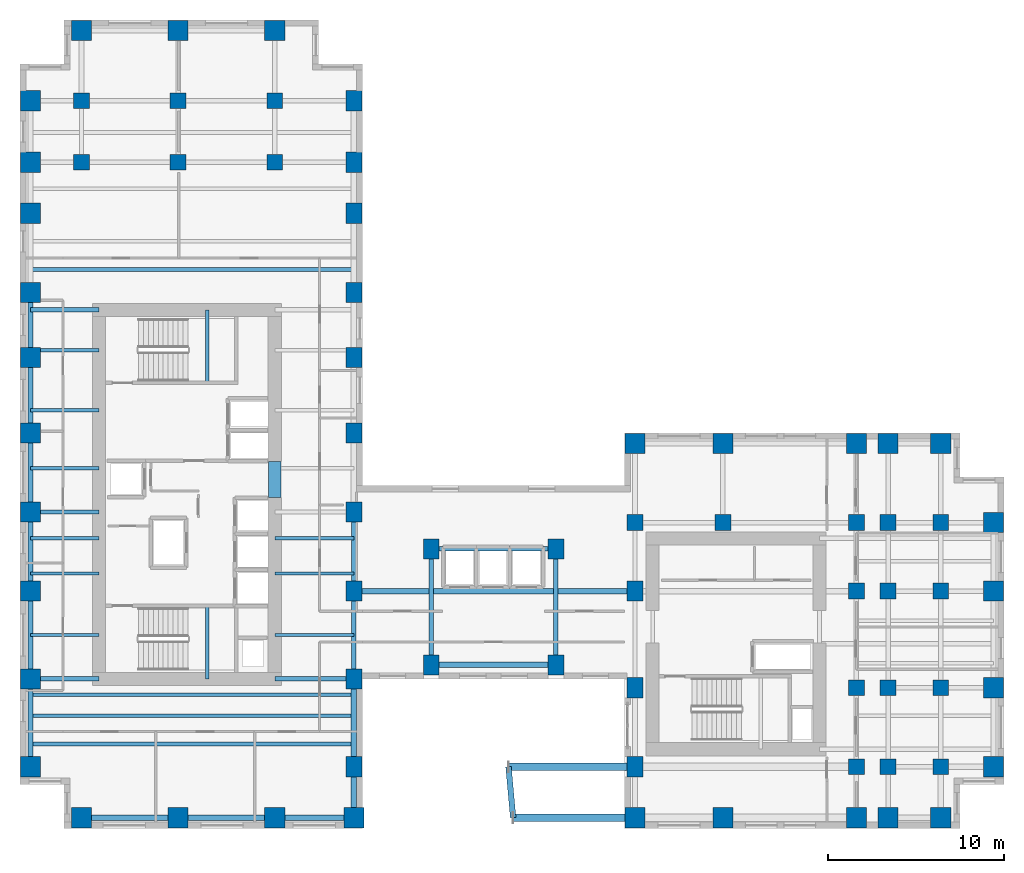
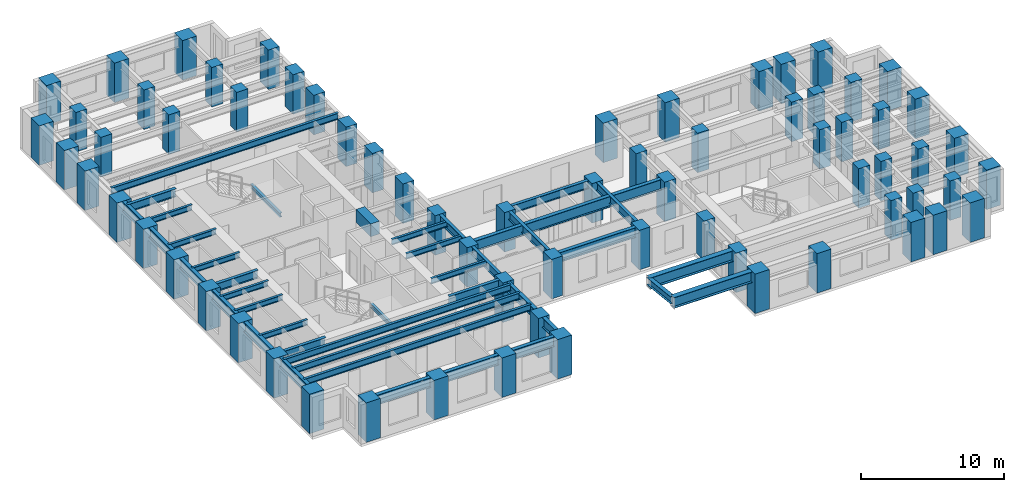
# One storey, part 1 of 14: 68 columns, 41 beams.
"""IFC4 building model written with IfcOpenShell, lengths in metres."""

from ifc_helpers import new_model, si_unit, direction, frame, origin, origin_2d, place, context, subcontext, project, spatial, rectangle, i_section, extrude, source, transform, mapped, material, material_profile, profile_set, type_object, element, save


model = new_model("IFC4")

# Units and contexts
model_context = context("Model", 3, precision=1e-05, world=origin(), true_north=direction((0.0, 1.0)))
body_context = subcontext(model_context, "Body", "Model", "MODEL_VIEW")
ifc_project = project(units=[si_unit("LENGTHUNIT", "METRE"), si_unit("AREAUNIT", "SQUARE_METRE"), si_unit("VOLUMEUNIT", "CUBIC_METRE"), si_unit("PLANEANGLEUNIT", "RADIAN"), si_unit("MASSUNIT", "GRAM", prefix="KILO")], contexts=[model_context])

# Site, building, storey
site_placement = place(None, origin())
site = spatial("IfcSite", under=ifc_project, at=site_placement, CompositionType="ELEMENT")
building_placement = place(site_placement, origin())
building = spatial("IfcBuilding", under=site, at=building_placement, Name="Kharzan Plaza Tower", CompositionType="ELEMENT")
storey_placement = place(building_placement, frame((0.0, 0.0, 131.39990234375)))
storey = spatial("IfcBuildingStorey", under=building, at=storey_placement, Name="L35", CompositionType="ELEMENT", Elevation=131.39990234375)

# Columns
ifc_material_1 = material(Name="Concrete C50/60", Category="concrete")
ifc_material_profile_1 = material_profile(ifc_material_1, rectangle(XDim=0.89990234375, YDim=0.89990234375, at=origin_2d()), Name="RC-IC900x900")
ifc_profile_set_1 = profile_set([ifc_material_profile_1], Name="Concrete C50/60")
column_type_1 = type_object("IfcColumnType", Name="COL-IC900", PredefinedType="COLUMN", material=ifc_profile_set_1)
shared_shape_1 = source(origin(), body_context, "Body", "SweptSolid", [
    extrude(rectangle(XDim=0.89990234375, YDim=0.89990234375, at=origin_2d()), origin(), (0.0, 0.0, 1.0), 3.380126953125),
])
for number, where, z_axis, x_axis, name in (
    (1, (47.60009765625, 13.5, 0.0), (0.0, 0.0, 1.0), (1.0, 0.0, 0.0), "L35 Structural Column TCBI-135"),
    (2, (47.60009765625, 3.5, 0.0), (0.0, 0.0, 1.0), (1.0, 0.0, 0.0), "L35 Structural Column TCBI-35"),
    (3, (47.60009765625, 8.0, 0.0), (0.0, 0.0, 1.0), (1.0, 0.0, 0.0), "L35 Structural Column TCBI-80"),
    (4, (35.0, 17.39990234375, 0.0), (0.0, 0.0, 1.0), (1.0, 0.0, 0.0), "L35 Structural Column TCBN-350-174"),
    (5, (40.0, 17.39990234375, 0.0), (0.0, 0.0, 1.0), (1.0, 0.0, 0.0), "L35 Structural Column TCBN-400-174"),
    (6, (47.60009765625, 17.39990234375, 0.0), (0.0, 0.0, 1.0), (1.0, 0.0, 0.0), "L35 Structural Column TCBN-476-174"),
    (7, (49.39990234375, 13.5, 0.0), (0.0, 0.0, 1.0), (1.0, 0.0, 0.0), "L35 Structural Column TCE-494-135"),
    (8, (49.39990234375, 17.39990234375, 0.0), (0.0, 0.0, 1.0), (1.0, 0.0, 0.0), "L35 Structural Column TCE-494-174"),
    (9, (49.39990234375, 3.5, 0.0), (0.0, 0.0, 1.0), (1.0, 0.0, 0.0), "L35 Structural Column TCE-494-35"),
    (10, (49.39990234375, 8.0, 0.0), (0.0, 0.0, 1.0), (1.0, 0.0, 0.0), "L35 Structural Column TCE-494-80"),
    (11, (52.39990234375, 13.5, 0.0), (0.0, 0.0, 1.0), (1.0, 0.0, 0.0), "L35 Structural Column TCE-524-135"),
    (12, (52.39990234375, 17.39990234375, 0.0), (0.0, 0.0, 1.0), (1.0, 0.0, 0.0), "L35 Structural Column TCE-524-174"),
    (13, (52.39990234375, 3.5, 0.0), (0.0, 0.0, 1.0), (1.0, 0.0, 0.0), "L35 Structural Column TCE-524-35"),
    (14, (52.39990234375, 8.0, 0.0), (0.0, 0.0, 1.0), (1.0, 0.0, 0.0), "L35 Structural Column TCE-524-80"),
    (15, (14.5, 37.89990234375, 0.0), (0.0, 0.0, 1.0), (1.0, 0.0, 0.0), "L35 Structural Column TCN-145-379"),
    (16, (14.5, 41.39990234375, 0.0), (0.0, 0.0, 1.0), (1.0, 0.0, 0.0), "L35 Structural Column TCN-145-414"),
    (17, (3.5, 37.89990234375, 0.0), (0.0, 0.0, 1.0), (1.0, 0.0, 0.0), "L35 Structural Column TCN-35-379"),
    (18, (3.5, 41.39990234375, 0.0), (0.0, 0.0, 1.0), (1.0, 0.0, 0.0), "L35 Structural Column TCN-35-414"),
    (19, (9.0, 37.89990234375, 0.0), (0.0, 0.0, 1.0), (1.0, 0.0, 0.0), "L35 Structural Column TCN-90-379"),
    (20, (9.0, 41.39990234375, 0.0), (0.0, 0.0, 1.0), (1.0, 0.0, 0.0), "L35 Structural Column TCN-90-414"),
):
    element("IfcColumn", number, at=place(storey_placement, frame(where, z_axis=z_axis, x_axis=x_axis)), inside=storey, type_object=column_type_1, Name=name, PredefinedType="COLUMN", context=body_context, shape_type="MappedRepresentation", body=[
        mapped(shared_shape_1, transform((0.0, 0.0, 0.0), x_axis=(1.0, 0.0, 0.0), y_axis=(0.0, 1.0, 0.0), z_axis=(0.0, 0.0, 1.0))),
    ])
ifc_material_2 = material(Name="Concrete C60/75", Category="concrete")
ifc_material_profile_2 = material_profile(ifc_material_2, rectangle(XDim=0.89990234375, YDim=1.14990234375, at=origin_2d()), Name="RC-SC1150x900")
ifc_profile_set_2 = profile_set([ifc_material_profile_2], Name="Concrete C60/75")
column_type_2 = type_object("IfcColumnType", Name="COL-SC1150", PredefinedType="COLUMN", material=ifc_profile_set_2)
shared_shape_2 = source(origin(), body_context, "Body", "SweptSolid", [
    extrude(rectangle(XDim=0.89990234375, YDim=1.14990234375, at=origin_2d()), origin(), (0.0, 0.0, 1.0), 3.380126953125),
])
for number, where, z_axis, x_axis, name in (
    (21, (19.0, 13.5, 0.0), (0.0, 0.0, 1.0), (1.0, 0.0, 0.0), "L35 Structural Column TCA-135"),
    (22, (19.0, 18.0, 0.0), (0.0, 0.0, 1.0), (1.0, 0.0, 0.0), "L35 Structural Column TCA-180"),
    (23, (19.0, 22.5, 0.0), (0.0, 0.0, 1.0), (1.0, 0.0, 0.0), "L35 Structural Column TCA-225"),
    (24, (19.0, 26.800048828125, 0.0), (0.0, 0.0, 1.0), (1.0, 0.0, 0.0), "L35 Structural Column TCA-268"),
    (25, (19.0, 30.5, 0.0), (0.0, 0.0, 1.0), (1.0, 0.0, 0.0), "L35 Structural Column TCA-305"),
    (26, (19.0, 3.5, 0.0), (0.0, 0.0, 1.0), (1.0, 0.0, 0.0), "L35 Structural Column TCA-35"),
    (27, (19.0, 35.0, 0.0), (0.0, 0.0, 1.0), (1.0, 0.0, 0.0), "L35 Structural Column TCA-350"),
    (28, (19.0, 37.89990234375, 0.0), (0.0, 0.0, 1.0), (1.0, 0.0, 0.0), "L35 Structural Column TCA-379"),
    (29, (19.0, 41.39990234375, 0.0), (0.0, 0.0, 1.0), (1.0, 0.0, 0.0), "L35 Structural Column TCA-414"),
    (30, (19.0, 8.5, 0.0), (0.0, 0.0, 1.0), (1.0, 0.0, 0.0), "L35 Structural Column TCA-85"),
    (31, (35.0, 13.5, 0.0), (0.0, 0.0, 1.0), (1.0, 0.0, 0.0), "L35 Structural Column TCBS-135"),
    (32, (35.0, 3.5, 0.0), (0.0, 0.0, 1.0), (1.0, 0.0, 0.0), "L35 Structural Column TCBS-35"),
    (33, (35.0, 8.0, 0.0), (0.0, 0.0, 1.0), (1.0, 0.0, 0.0), "L35 Structural Column TCBS-80"),
    (34, (23.39990234375, 15.89990234375, 0.0), (0.0, 0.0, 1.0), (1.0, 0.0, 0.0), "L35 Structural Column TCSP-234-159"),
    (35, (23.39990234375, 9.300048828125, 0.0), (0.0, 0.0, 1.0), (1.0, 0.0, 0.0), "L35 Structural Column TCSP-234-93"),
    (36, (30.5, 15.89990234375, 0.0), (0.0, 0.0, 1.0), (1.0, 0.0, 0.0), "L35 Structural Column TCSP-305-159"),
    (37, (30.5, 9.300048828125, 0.0), (0.0, 0.0, 1.0), (1.0, 0.0, 0.0), "L35 Structural Column TCSP-305-93"),
):
    element("IfcColumn", number, at=place(storey_placement, frame(where, z_axis=z_axis, x_axis=x_axis)), inside=storey, type_object=column_type_2, Name=name, PredefinedType="COLUMN", context=body_context, shape_type="MappedRepresentation", body=[
        mapped(shared_shape_2, transform((0.0, 0.0, 0.0), x_axis=(1.0, 0.0, 0.0), y_axis=(0.0, 1.0, 0.0), z_axis=(0.0, 0.0, 1.0))),
    ])
ifc_material_profile_3 = material_profile(ifc_material_2, rectangle(XDim=1.14990234375, YDim=1.14990234375, at=origin_2d()), Name="RC-TC1150x1150")
ifc_profile_set_3 = profile_set([ifc_material_profile_3], Name="Concrete C60/75")
column_type_3 = type_object("IfcColumnType", Name="COL-TC1150", PredefinedType="COLUMN", material=ifc_profile_set_3)
shared_shape_3 = source(origin(), body_context, "Body", "SweptSolid", [
    extrude(rectangle(XDim=1.14990234375, YDim=1.14990234375, at=origin_2d()), origin(), (0.0, 0.0, 1.0), 3.380126953125),
])
for number, where, z_axis, x_axis, name in (
    (38, (35.0, 21.89990234375, 0.0), (0.0, 0.0, 1.0), (1.0, 0.0, 0.0), "L35 Structural Column TCBN-350-219"),
    (39, (40.0, 21.89990234375, 0.0), (0.0, 0.0, 1.0), (1.0, 0.0, 0.0), "L35 Structural Column TCBN-400-219"),
    (40, (47.60009765625, 21.89990234375, 0.0), (0.0, 0.0, 1.0), (1.0, 0.0, 0.0), "L35 Structural Column TCBN-476-219"),
    (41, (49.39990234375, 21.89990234375, 0.0), (0.0, 0.0, 1.0), (1.0, 0.0, 0.0), "L35 Structural Column TCBN-494-219"),
    (42, (52.39990234375, 21.89990234375, 0.0), (0.0, 0.0, 1.0), (1.0, 0.0, 0.0), "L35 Structural Column TCBN-524-219"),
    (43, (55.39990234375, 13.5, 0.0), (0.0, 0.0, 1.0), (1.0, 0.0, 0.0), "L35 Structural Column TCE-554-135"),
    (44, (55.39990234375, 17.39990234375, 0.0), (0.0, 0.0, 1.0), (1.0, 0.0, 0.0), "L35 Structural Column TCE-554-174"),
    (45, (55.39990234375, 3.5, 0.0), (0.0, 0.0, 1.0), (1.0, 0.0, 0.0), "L35 Structural Column TCE-554-35"),
    (46, (55.39990234375, 8.0, 0.0), (0.0, 0.0, 1.0), (1.0, 0.0, 0.0), "L35 Structural Column TCE-554-80"),
    (47, (14.5, 45.39990234375, 0.0), (0.0, 0.0, 1.0), (1.0, 0.0, 0.0), "L35 Structural Column TCN-145-454"),
    (48, (3.5, 45.39990234375, 0.0), (0.0, 0.0, 1.0), (1.0, 0.0, 0.0), "L35 Structural Column TCN-35-454"),
    (49, (9.0, 45.39990234375, 0.0), (0.0, 0.0, 1.0), (1.0, 0.0, 0.0), "L35 Structural Column TCN-90-454"),
    (50, (14.5, 0.60009765625, 0.0), (0.0, 0.0, 1.0), (1.0, 0.0, 0.0), "L35 Structural Column TCS-145"),
    (51, (19.0, 0.60009765625, 0.0), (0.0, 0.0, 1.0), (1.0, 0.0, 0.0), "L35 Structural Column TCS-190"),
    (52, (3.5, 0.60009765625, 0.0), (0.0, 0.0, 1.0), (1.0, 0.0, 0.0), "L35 Structural Column TCS-35"),
    (53, (35.0, 0.60009765625, 0.0), (0.0, 0.0, 1.0), (1.0, 0.0, 0.0), "L35 Structural Column TCS-350"),
    (54, (40.0, 0.60009765625, 0.0), (0.0, 0.0, 1.0), (1.0, 0.0, 0.0), "L35 Structural Column TCS-400"),
    (55, (47.60009765625, 0.60009765625, 0.0), (0.0, 0.0, 1.0), (1.0, 0.0, 0.0), "L35 Structural Column TCS-476"),
    (56, (49.39990234375, 0.60009765625, 0.0), (0.0, 0.0, 1.0), (1.0, 0.0, 0.0), "L35 Structural Column TCS-494"),
    (57, (52.39990234375, 0.60009765625, 0.0), (0.0, 0.0, 1.0), (1.0, 0.0, 0.0), "L35 Structural Column TCS-524"),
    (58, (9.0, 0.60009765625, 0.0), (0.0, 0.0, 1.0), (1.0, 0.0, 0.0), "L35 Structural Column TCS-90"),
    (59, (0.60009765625, 13.5, 0.0), (0.0, 0.0, 1.0), (1.0, 0.0, 0.0), "L35 Structural Column TCW-135"),
    (60, (0.60009765625, 18.0, 0.0), (0.0, 0.0, 1.0), (1.0, 0.0, 0.0), "L35 Structural Column TCW-180"),
    (61, (0.60009765625, 22.5, 0.0), (0.0, 0.0, 1.0), (1.0, 0.0, 0.0), "L35 Structural Column TCW-225"),
    (62, (0.60009765625, 26.800048828125, 0.0), (0.0, 0.0, 1.0), (1.0, 0.0, 0.0), "L35 Structural Column TCW-268"),
    (63, (0.60009765625, 30.5, 0.0), (0.0, 0.0, 1.0), (1.0, 0.0, 0.0), "L35 Structural Column TCW-305"),
    (64, (0.60009765625, 3.5, 0.0), (0.0, 0.0, 1.0), (1.0, 0.0, 0.0), "L35 Structural Column TCW-35"),
    (65, (0.60009765625, 35.0, 0.0), (0.0, 0.0, 1.0), (1.0, 0.0, 0.0), "L35 Structural Column TCW-350"),
    (66, (0.60009765625, 37.89990234375, 0.0), (0.0, 0.0, 1.0), (1.0, 0.0, 0.0), "L35 Structural Column TCW-379"),
    (67, (0.60009765625, 41.39990234375, 0.0), (0.0, 0.0, 1.0), (1.0, 0.0, 0.0), "L35 Structural Column TCW-414"),
    (68, (0.60009765625, 8.5, 0.0), (0.0, 0.0, 1.0), (1.0, 0.0, 0.0), "L35 Structural Column TCW-85"),
):
    element("IfcColumn", number, at=place(storey_placement, frame(where, z_axis=z_axis, x_axis=x_axis)), inside=storey, type_object=column_type_3, Name=name, PredefinedType="COLUMN", context=body_context, shape_type="MappedRepresentation", body=[
        mapped(shared_shape_3, transform((0.0, 0.0, 0.0), x_axis=(1.0, 0.0, 0.0), y_axis=(0.0, 1.0, 0.0), z_axis=(0.0, 0.0, 1.0))),
    ])

# Beams
ifc_material_profile_4 = material_profile(ifc_material_2, rectangle(XDim=0.699951171875, YDim=1.10009765625, at=origin_2d()), Name="RC-CB1100x700")
ifc_profile_set_4 = profile_set([ifc_material_profile_4], Name="Concrete C60/75")
beam_type_1 = type_object("IfcBeamType", Name="BM-RCCB1100", PredefinedType="LINTEL", material=ifc_profile_set_4)
shared_shape_4 = source(origin(), body_context, "Body", "SweptSolid", [
    extrude(rectangle(XDim=0.699951171875, YDim=1.10009765625, at=origin_2d()), origin(), (0.0, 0.0, 1.0), 2.059814453125),
])
beam_1_placement = place(storey_placement, frame((14.5, 18.820068359375, 2.830078125), z_axis=(0.0, 1.0, 0.0), x_axis=(-1.0, 0.0, 0.0)))
element("IfcBeam", 69, at=beam_1_placement, inside=storey, type_object=beam_type_1, Name="L35 CORE-A RC coupling beam CB1", PredefinedType="LINTEL", context=body_context, shape_type="MappedRepresentation", body=[
    mapped(shared_shape_4, transform((0.0, 0.0, 0.0), x_axis=(1.0, 0.0, 0.0), y_axis=(0.0, 1.0, 0.0), z_axis=(0.0, 0.0, 1.0))),
])
ifc_material_3 = material(Name="Steel S355", Category="steel")
ifc_material_profile_5 = material_profile(ifc_material_3, i_section(OverallWidth=0.205078125, OverallDepth=0.35400390625, WebThickness=0.009521484375, FlangeThickness=0.016845703125, at=origin_2d()), Name="W360x79")
ifc_profile_set_5 = profile_set([ifc_material_profile_5], Name="Steel S355")
beam_type_2 = type_object("IfcBeamType", Name="BM-LNT360", PredefinedType="LINTEL", material=ifc_profile_set_5)
shared_shape_5 = source(origin(), body_context, "Body", "SweptSolid", [
    extrude(i_section(OverallWidth=0.205078125, OverallDepth=0.35400390625, WebThickness=0.009521484375, FlangeThickness=0.016845703125, at=origin_2d()), origin(), (0.0, 0.0, 1.0), 4.155029296875),
])
for number, where, z_axis, x_axis, name in (
    (70, (10.64990234375, 8.5, 1.423095703125), (0.0, 1.0, 0.0), (-1.0, 0.0, 0.0), "L35 Stair ST-1 Half-Landing Beam"),
    (71, (10.64990234375, 25.344970703125, 1.423095703125), (0.0, 1.0, 0.0), (-1.0, 0.0, 0.0), "L35 Stair ST-2 Half-Landing Beam"),
):
    element("IfcBeam", number, at=place(storey_placement, frame(where, z_axis=z_axis, x_axis=x_axis)), inside=storey, type_object=beam_type_2, Name=name, PredefinedType="LINTEL", context=body_context, shape_type="MappedRepresentation", body=[
        mapped(shared_shape_5, transform((0.0, 0.0, 0.0), x_axis=(1.0, 0.0, 0.0), y_axis=(0.0, 1.0, 0.0), z_axis=(0.0, 0.0, 1.0))),
    ])
ifc_material_profile_6 = material_profile(ifc_material_3, i_section(OverallWidth=0.304931640625, OverallDepth=0.9189453125, WebThickness=0.017333984375, FlangeThickness=0.02783203125, at=origin_2d()), Name="W920x253")
ifc_profile_set_6 = profile_set([ifc_material_profile_6], Name="Steel S355")
beam_type_3 = type_object("IfcBeamType", Name="BM-FG920B", PredefinedType="BEAM", material=ifc_profile_set_6)
shared_shape_6 = source(origin(), body_context, "Body", "SweptSolid", [
    extrude(i_section(OverallWidth=0.304931640625, OverallDepth=0.9189453125, WebThickness=0.017333984375, FlangeThickness=0.02783203125, at=origin_2d()), origin(), (0.0, 0.0, 1.0), 16.0),
])
beam_2_placement = place(storey_placement, frame((19.0, 13.5, 2.920654296875), z_axis=(1.0, 0.0, 0.0), x_axis=(0.0, 1.0, 0.0)))
element("IfcBeam", 72, at=beam_2_placement, inside=storey, type_object=beam_type_3, Name="L35 Primary Floor Girder", PredefinedType="BEAM", context=body_context, shape_type="MappedRepresentation", body=[
    mapped(shared_shape_6, transform((0.0, 0.0, 0.0), x_axis=(1.0, 0.0, 0.0), y_axis=(0.0, 1.0, 0.0), z_axis=(0.0, 0.0, 1.0))),
])
ifc_material_profile_7 = material_profile(ifc_material_3, i_section(OverallWidth=0.2099609375, OverallDepth=0.537109375, WebThickness=0.010986328125, FlangeThickness=0.017333984375, at=origin_2d()), Name="W530x101")
ifc_profile_set_7 = profile_set([ifc_material_profile_7], Name="Steel S355")
beam_type_4 = type_object("IfcBeamType", Name="BM-JST530B", PredefinedType="JOIST", material=ifc_profile_set_7)
shared_shape_7 = source(origin(), body_context, "Body", "SweptSolid", [
    extrude(i_section(OverallWidth=0.2099609375, OverallDepth=0.537109375, WebThickness=0.010986328125, FlangeThickness=0.017333984375, at=origin_2d()), origin(), (0.0, 0.0, 1.0), 18.39990234375),
])
for number, where, z_axis, x_axis, name in (
    (73, (0.60009765625, 4.800048828125, 3.111572265625), (1.0, 0.0, 0.0), (0.0, 1.0, 0.0), "L35 Wing A Composite Joist 01"),
    (74, (0.60009765625, 6.39990234375, 3.111572265625), (1.0, 0.0, 0.0), (0.0, 1.0, 0.0), "L35 Wing A Composite Joist 02"),
    (75, (0.60009765625, 7.60009765625, 3.111572265625), (1.0, 0.0, 0.0), (0.0, 1.0, 0.0), "L35 Wing A Composite Joist 03"),
    (76, (0.60009765625, 31.800048828125, 3.111572265625), (1.0, 0.0, 0.0), (0.0, 1.0, 0.0), "L35 Wing A Composite Joist 04"),
):
    element("IfcBeam", number, at=place(storey_placement, frame(where, z_axis=z_axis, x_axis=x_axis)), inside=storey, type_object=beam_type_4, Name=name, PredefinedType="JOIST", context=body_context, shape_type="MappedRepresentation", body=[
        mapped(shared_shape_7, transform((0.0, 0.0, 0.0), x_axis=(1.0, 0.0, 0.0), y_axis=(0.0, 1.0, 0.0), z_axis=(0.0, 0.0, 1.0))),
    ])
ifc_material_profile_8 = material_profile(ifc_material_3, i_section(OverallWidth=0.194091796875, OverallDepth=0.468994140625, WebThickness=0.011474609375, FlangeThickness=0.0205078125, at=origin_2d()), Name="W460x106")
ifc_profile_set_8 = profile_set([ifc_material_profile_8], Name="Steel S355")
beam_type_5 = type_object("IfcBeamType", Name="BM-JST460", PredefinedType="JOIST", material=ifc_profile_set_8)
shared_shape_8 = source(origin(), body_context, "Body", "SweptSolid", [
    extrude(i_section(OverallWidth=0.194091796875, OverallDepth=0.468994140625, WebThickness=0.011474609375, FlangeThickness=0.0205078125, at=origin_2d()), origin(), (0.0, 0.0, 1.0), 4.5),
])
for number, where, z_axis, x_axis, name in (
    (77, (14.5, 11.0, 3.1455078125), (1.0, 0.0, 0.0), (0.0, 1.0, 0.0), "L35 Wing A East Infill Joist 1"),
    (78, (14.5, 14.5, 3.1455078125), (1.0, 0.0, 0.0), (0.0, 1.0, 0.0), "L35 Wing A East Infill Joist 2"),
    (79, (14.5, 16.5, 3.1455078125), (1.0, 0.0, 0.0), (0.0, 1.0, 0.0), "L35 Wing A East Infill Joist 3"),
):
    element("IfcBeam", number, at=place(storey_placement, frame(where, z_axis=z_axis, x_axis=x_axis)), inside=storey, type_object=beam_type_5, Name=name, PredefinedType="JOIST", context=body_context, shape_type="MappedRepresentation", body=[
        mapped(shared_shape_8, transform((0.0, 0.0, 0.0), x_axis=(1.0, 0.0, 0.0), y_axis=(0.0, 1.0, 0.0), z_axis=(0.0, 0.0, 1.0))),
    ])
shared_shape_9 = source(origin(), body_context, "Body", "SweptSolid", [
    extrude(i_section(OverallWidth=0.194091796875, OverallDepth=0.468994140625, WebThickness=0.011474609375, FlangeThickness=0.0205078125, at=origin_2d()), origin(), (0.0, 0.0, 1.0), 3.89990234375),
])
for number, where, z_axis, x_axis, name in (
    (80, (0.60009765625, 11.0, 3.1455078125), (1.0, 0.0, 0.0), (0.0, 1.0, 0.0), "L35 Wing A West Infill Joist 1"),
    (81, (0.60009765625, 14.5, 3.1455078125), (1.0, 0.0, 0.0), (0.0, 1.0, 0.0), "L35 Wing A West Infill Joist 2"),
    (82, (0.60009765625, 16.5, 3.1455078125), (1.0, 0.0, 0.0), (0.0, 1.0, 0.0), "L35 Wing A West Infill Joist 3"),
    (83, (0.60009765625, 20.5, 3.1455078125), (1.0, 0.0, 0.0), (0.0, 1.0, 0.0), "L35 Wing A West Infill Joist 4"),
    (84, (0.60009765625, 23.800048828125, 3.1455078125), (1.0, 0.0, 0.0), (0.0, 1.0, 0.0), "L35 Wing A West Infill Joist 5"),
    (85, (0.60009765625, 27.199951171875, 3.1455078125), (1.0, 0.0, 0.0), (0.0, 1.0, 0.0), "L35 Wing A West Infill Joist 6"),
):
    element("IfcBeam", number, at=place(storey_placement, frame(where, z_axis=z_axis, x_axis=x_axis)), inside=storey, type_object=beam_type_5, Name=name, PredefinedType="JOIST", context=body_context, shape_type="MappedRepresentation", body=[
        mapped(shared_shape_9, transform((0.0, 0.0, 0.0), x_axis=(1.0, 0.0, 0.0), y_axis=(0.0, 1.0, 0.0), z_axis=(0.0, 0.0, 1.0))),
    ])
ifc_material_profile_9 = material_profile(ifc_material_3, i_section(OverallWidth=0.41796875, OverallDepth=0.93701171875, WebThickness=0.019287109375, FlangeThickness=0.031982421875, at=origin_2d()), Name="W920x342")
ifc_profile_set_9 = profile_set([ifc_material_profile_9], Name="Steel S355")
beam_type_6 = type_object("IfcBeamType", Name="BM-ZTG920", PredefinedType="BEAM", material=ifc_profile_set_9)
shared_shape_10 = source(origin(), body_context, "Body", "SweptSolid", [
    extrude(i_section(OverallWidth=0.41796875, OverallDepth=0.93701171875, WebThickness=0.019287109375, FlangeThickness=0.031982421875, at=origin_2d()), origin(), (0.0, 0.0, 1.0), 7.199951171875),
])
beam_3_placement = place(storey_placement, frame((35.0, 3.5, 2.91162109375), z_axis=(-1.0, 0.0, 0.0), x_axis=(0.0, -1.0, 0.0)))
element("IfcBeam", 86, at=beam_3_placement, inside=storey, type_object=beam_type_6, Name="L35 Sky-Terrace Cantilever Girder ZTG1 (L36 G2)", PredefinedType="BEAM", context=body_context, shape_type="MappedRepresentation", body=[
    mapped(shared_shape_10, transform((0.0, 0.0, 0.0), x_axis=(1.0, 0.0, 0.0), y_axis=(0.0, 1.0, 0.0), z_axis=(0.0, 0.0, 1.0))),
])
shared_shape_11 = source(origin(), body_context, "Body", "SweptSolid", [
    extrude(i_section(OverallWidth=0.41796875, OverallDepth=0.93701171875, WebThickness=0.019287109375, FlangeThickness=0.031982421875, at=origin_2d()), origin(), (0.0, 0.0, 1.0), 6.93603515625),
])
beam_4_placement = place(storey_placement, frame((35.0, 0.60009765625, 2.91162109375), z_axis=(-1.0, 0.0, 0.0), x_axis=(0.0, -1.0, 0.0)))
element("IfcBeam", 87, at=beam_4_placement, inside=storey, type_object=beam_type_6, Name="L35 Sky-Terrace Cantilever Girder ZTG1 (L36 G1)", PredefinedType="BEAM", context=body_context, shape_type="MappedRepresentation", body=[
    mapped(shared_shape_11, transform((0.0, 0.0, 0.0), x_axis=(1.0, 0.0, 0.0), y_axis=(0.0, 1.0, 0.0), z_axis=(0.0, 0.0, 1.0))),
])
ifc_material_profile_10 = material_profile(ifc_material_3, i_section(OverallWidth=0.324951171875, OverallDepth=0.615966796875, WebThickness=0.013916015625, FlangeThickness=0.021484375, at=origin_2d()), Name="W610x174")
ifc_profile_set_10 = profile_set([ifc_material_profile_10], Name="Steel S355")
beam_type_7 = type_object("IfcBeamType", Name="BM-ZTT610", PredefinedType="BEAM", material=ifc_profile_set_10)
shared_shape_12 = source(origin(), body_context, "Body", "SweptSolid", [
    extrude(i_section(OverallWidth=0.324951171875, OverallDepth=0.615966796875, WebThickness=0.013916015625, FlangeThickness=0.021484375, at=origin_2d()), origin(), (0.0, 0.0, 1.0), 2.911865234375),
])
beam_5_placement = place(storey_placement, frame((28.06396484375, 0.60009765625, 3.072021484375), z_axis=(-0.090634020309, 0.995884267555, 0.0), x_axis=(-0.995884267555, -0.090634020309, 0.0)))
element("IfcBeam", 88, at=beam_5_placement, inside=storey, type_object=beam_type_7, Name="L35 Sky-Terrace Edge Trimmer Beam ZTT1 (L36)", PredefinedType="BEAM", context=body_context, shape_type="MappedRepresentation", body=[
    mapped(shared_shape_12, transform((0.0, 0.0, 0.0), x_axis=(1.0, 0.0, 0.0), y_axis=(0.0, 1.0, 0.0), z_axis=(0.0, 0.0, 1.0))),
])
ifc_material_profile_11 = material_profile(ifc_material_3, i_section(OverallWidth=0.25390625, OverallDepth=0.68798828125, WebThickness=0.01318359375, FlangeThickness=0.02099609375, at=origin_2d()), Name="W690x152")
ifc_profile_set_11 = profile_set([ifc_material_profile_11], Name="Steel S355")
beam_type_8 = type_object("IfcBeamType", Name="BM-FG690B", PredefinedType="BEAM", material=ifc_profile_set_11)
shared_shape_13 = source(origin(), body_context, "Body", "SweptSolid", [
    extrude(i_section(OverallWidth=0.25390625, OverallDepth=0.68798828125, WebThickness=0.01318359375, FlangeThickness=0.02099609375, at=origin_2d()), origin(), (0.0, 0.0, 1.0), 4.5),
])
for number, where, z_axis, x_axis, name in (
    (89, (14.5, 8.5, 3.0361328125), (1.0, 0.0, 0.0), (0.0, 1.0, 0.0), "L35 Core-A East Floor Girder 1"),
    (90, (19.0, 13.5, 3.0361328125), (0.0, 1.0, 0.0), (-1.0, 0.0, 0.0), "L35 Interior Frame Girder"),
):
    element("IfcBeam", number, at=place(storey_placement, frame(where, z_axis=z_axis, x_axis=x_axis)), inside=storey, type_object=beam_type_8, Name=name, PredefinedType="BEAM", context=body_context, shape_type="MappedRepresentation", body=[
        mapped(shared_shape_13, transform((0.0, 0.0, 0.0), x_axis=(1.0, 0.0, 0.0), y_axis=(0.0, 1.0, 0.0), z_axis=(0.0, 0.0, 1.0))),
    ])
shared_shape_14 = source(origin(), body_context, "Body", "SweptSolid", [
    extrude(i_section(OverallWidth=0.25390625, OverallDepth=0.68798828125, WebThickness=0.01318359375, FlangeThickness=0.02099609375, at=origin_2d()), origin(), (0.0, 0.0, 1.0), 3.89990234375),
])
for number, where, z_axis, x_axis, name in (
    (91, (0.60009765625, 8.5, 3.0361328125), (1.0, 0.0, 0.0), (0.0, 1.0, 0.0), "L35 Core-A West Floor Girder 1"),
    (92, (0.60009765625, 18.0, 3.0361328125), (1.0, 0.0, 0.0), (0.0, 1.0, 0.0), "L35 Core-A West Floor Girder 2"),
    (93, (0.60009765625, 29.5, 3.0361328125), (1.0, 0.0, 0.0), (0.0, 1.0, 0.0), "L35 Core-A West Floor Girder 3"),
):
    element("IfcBeam", number, at=place(storey_placement, frame(where, z_axis=z_axis, x_axis=x_axis)), inside=storey, type_object=beam_type_8, Name=name, PredefinedType="BEAM", context=body_context, shape_type="MappedRepresentation", body=[
        mapped(shared_shape_14, transform((0.0, 0.0, 0.0), x_axis=(1.0, 0.0, 0.0), y_axis=(0.0, 1.0, 0.0), z_axis=(0.0, 0.0, 1.0))),
    ])
shared_shape_15 = source(origin(), body_context, "Body", "SweptSolid", [
    extrude(i_section(OverallWidth=0.25390625, OverallDepth=0.68798828125, WebThickness=0.01318359375, FlangeThickness=0.02099609375, at=origin_2d()), origin(), (0.0, 0.0, 1.0), 5.0),
])
beam_6_placement = place(storey_placement, frame((19.0, 8.5, 3.0361328125), z_axis=(0.0, 1.0, 0.0), x_axis=(-1.0, 0.0, 0.0)))
element("IfcBeam", 94, at=beam_6_placement, inside=storey, type_object=beam_type_8, Name="L35 Interior Frame Girder", PredefinedType="BEAM", context=body_context, shape_type="MappedRepresentation", body=[
    mapped(shared_shape_15, transform((0.0, 0.0, 0.0), x_axis=(1.0, 0.0, 0.0), y_axis=(0.0, 1.0, 0.0), z_axis=(0.0, 0.0, 1.0))),
])
shared_shape_16 = source(origin(), body_context, "Body", "SweptSolid", [
    extrude(i_section(OverallWidth=0.25390625, OverallDepth=0.68798828125, WebThickness=0.01318359375, FlangeThickness=0.02099609375, at=origin_2d()), origin(), (0.0, 0.0, 1.0), 6.599853515625),
])
for number, where, z_axis, x_axis, name in (
    (95, (23.39990234375, 9.300048828125, 3.0361328125), (0.0, 1.0, 0.0), (-1.0, 0.0, 0.0), "L35 Interior Frame Girder"),
    (96, (30.5, 9.300048828125, 3.0361328125), (0.0, 1.0, 0.0), (-1.0, 0.0, 0.0), "L35 Interior Frame Girder"),
):
    element("IfcBeam", number, at=place(storey_placement, frame(where, z_axis=z_axis, x_axis=x_axis)), inside=storey, type_object=beam_type_8, Name=name, PredefinedType="BEAM", context=body_context, shape_type="MappedRepresentation", body=[
        mapped(shared_shape_16, transform((0.0, 0.0, 0.0), x_axis=(1.0, 0.0, 0.0), y_axis=(0.0, 1.0, 0.0), z_axis=(0.0, 0.0, 1.0))),
    ])
shared_shape_17 = source(origin(), body_context, "Body", "SweptSolid", [
    extrude(i_section(OverallWidth=0.25390625, OverallDepth=0.68798828125, WebThickness=0.01318359375, FlangeThickness=0.02099609375, at=origin_2d()), origin(), (0.0, 0.0, 1.0), 7.10009765625),
])
beam_7_placement = place(storey_placement, frame((23.39990234375, 15.89990234375, 3.0361328125), z_axis=(1.0, 0.0, 0.0), x_axis=(0.0, 1.0, 0.0)))
element("IfcBeam", 97, at=beam_7_placement, inside=storey, type_object=beam_type_8, Name="L35 Primary Floor Girder", PredefinedType="BEAM", context=body_context, shape_type="MappedRepresentation", body=[
    mapped(shared_shape_17, transform((0.0, 0.0, 0.0), x_axis=(1.0, 0.0, 0.0), y_axis=(0.0, 1.0, 0.0), z_axis=(0.0, 0.0, 1.0))),
])
ifc_material_profile_12 = material_profile(ifc_material_3, i_section(OverallWidth=0.299072265625, OverallDepth=0.845947265625, WebThickness=0.015380859375, FlangeThickness=0.0244140625, at=origin_2d()), Name="W840x210")
ifc_profile_set_12 = profile_set([ifc_material_profile_12], Name="Steel S355")
beam_type_9 = type_object("IfcBeamType", Name="BM-SP840B", PredefinedType="SPANDREL", material=ifc_profile_set_12)
shared_shape_18 = source(origin(), body_context, "Body", "SweptSolid", [
    extrude(i_section(OverallWidth=0.299072265625, OverallDepth=0.845947265625, WebThickness=0.015380859375, FlangeThickness=0.0244140625, at=origin_2d()), origin(), (0.0, 0.0, 1.0), 5.0),
])
for number, where, z_axis, x_axis, name in (
    (98, (0.60009765625, 3.5, 2.95703125), (0.0, 1.0, 0.0), (-1.0, 0.0, 0.0), "L35 Perimeter Tube Spandrel"),
    (99, (0.60009765625, 8.5, 2.95703125), (0.0, 1.0, 0.0), (-1.0, 0.0, 0.0), "L35 Perimeter Tube Spandrel"),
    (100, (19.0, 3.5, 2.95703125), (0.0, 1.0, 0.0), (-1.0, 0.0, 0.0), "L35 Perimeter Tube Spandrel"),
):
    element("IfcBeam", number, at=place(storey_placement, frame(where, z_axis=z_axis, x_axis=x_axis)), inside=storey, type_object=beam_type_9, Name=name, PredefinedType="SPANDREL", context=body_context, shape_type="MappedRepresentation", body=[
        mapped(shared_shape_18, transform((0.0, 0.0, 0.0), x_axis=(1.0, 0.0, 0.0), y_axis=(0.0, 1.0, 0.0), z_axis=(0.0, 0.0, 1.0))),
    ])
shared_shape_19 = source(origin(), body_context, "Body", "SweptSolid", [
    extrude(i_section(OverallWidth=0.299072265625, OverallDepth=0.845947265625, WebThickness=0.015380859375, FlangeThickness=0.0244140625, at=origin_2d()), origin(), (0.0, 0.0, 1.0), 4.5),
])
for number, where, z_axis, x_axis, name in (
    (101, (0.60009765625, 13.5, 2.95703125), (0.0, 1.0, 0.0), (-1.0, 0.0, 0.0), "L35 Perimeter Tube Spandrel"),
    (102, (0.60009765625, 18.0, 2.95703125), (0.0, 1.0, 0.0), (-1.0, 0.0, 0.0), "L35 Perimeter Tube Spandrel"),
    (103, (14.5, 0.60009765625, 2.95703125), (1.0, 0.0, 0.0), (0.0, 1.0, 0.0), "L35 Perimeter Tube Spandrel"),
):
    element("IfcBeam", number, at=place(storey_placement, frame(where, z_axis=z_axis, x_axis=x_axis)), inside=storey, type_object=beam_type_9, Name=name, PredefinedType="SPANDREL", context=body_context, shape_type="MappedRepresentation", body=[
        mapped(shared_shape_19, transform((0.0, 0.0, 0.0), x_axis=(1.0, 0.0, 0.0), y_axis=(0.0, 1.0, 0.0), z_axis=(0.0, 0.0, 1.0))),
    ])
shared_shape_20 = source(origin(), body_context, "Body", "SweptSolid", [
    extrude(i_section(OverallWidth=0.299072265625, OverallDepth=0.845947265625, WebThickness=0.015380859375, FlangeThickness=0.0244140625, at=origin_2d()), origin(), (0.0, 0.0, 1.0), 4.300048828125),
])
beam_8_placement = place(storey_placement, frame((0.60009765625, 22.5, 2.95703125), z_axis=(0.0, 1.0, 0.0), x_axis=(-1.0, 0.0, 0.0)))
element("IfcBeam", 104, at=beam_8_placement, inside=storey, type_object=beam_type_9, Name="L35 Perimeter Tube Spandrel", PredefinedType="SPANDREL", context=body_context, shape_type="MappedRepresentation", body=[
    mapped(shared_shape_20, transform((0.0, 0.0, 0.0), x_axis=(1.0, 0.0, 0.0), y_axis=(0.0, 1.0, 0.0), z_axis=(0.0, 0.0, 1.0))),
])
shared_shape_21 = source(origin(), body_context, "Body", "SweptSolid", [
    extrude(i_section(OverallWidth=0.299072265625, OverallDepth=0.845947265625, WebThickness=0.015380859375, FlangeThickness=0.0244140625, at=origin_2d()), origin(), (0.0, 0.0, 1.0), 3.699951171875),
])
beam_9_placement = place(storey_placement, frame((0.60009765625, 26.800048828125, 2.95703125), z_axis=(0.0, 1.0, 0.0), x_axis=(-1.0, 0.0, 0.0)))
element("IfcBeam", 105, at=beam_9_placement, inside=storey, type_object=beam_type_9, Name="L35 Perimeter Tube Spandrel", PredefinedType="SPANDREL", context=body_context, shape_type="MappedRepresentation", body=[
    mapped(shared_shape_21, transform((0.0, 0.0, 0.0), x_axis=(1.0, 0.0, 0.0), y_axis=(0.0, 1.0, 0.0), z_axis=(0.0, 0.0, 1.0))),
])
shared_shape_22 = source(origin(), body_context, "Body", "SweptSolid", [
    extrude(i_section(OverallWidth=0.299072265625, OverallDepth=0.845947265625, WebThickness=0.015380859375, FlangeThickness=0.0244140625, at=origin_2d()), origin(), (0.0, 0.0, 1.0), 2.89990234375),
])
beam_10_placement = place(storey_placement, frame((19.0, 0.60009765625, 2.95703125), z_axis=(0.0, 1.0, 0.0), x_axis=(-1.0, 0.0, 0.0)))
element("IfcBeam", 106, at=beam_10_placement, inside=storey, type_object=beam_type_9, Name="L35 Perimeter Tube Spandrel", PredefinedType="SPANDREL", context=body_context, shape_type="MappedRepresentation", body=[
    mapped(shared_shape_22, transform((0.0, 0.0, 0.0), x_axis=(1.0, 0.0, 0.0), y_axis=(0.0, 1.0, 0.0), z_axis=(0.0, 0.0, 1.0))),
])
shared_shape_23 = source(origin(), body_context, "Body", "SweptSolid", [
    extrude(i_section(OverallWidth=0.299072265625, OverallDepth=0.845947265625, WebThickness=0.015380859375, FlangeThickness=0.0244140625, at=origin_2d()), origin(), (0.0, 0.0, 1.0), 5.5),
])
for number, where, z_axis, x_axis, name in (
    (107, (3.5, 0.60009765625, 2.95703125), (1.0, 0.0, 0.0), (0.0, 1.0, 0.0), "L35 Perimeter Tube Spandrel"),
    (108, (9.0, 0.60009765625, 2.95703125), (1.0, 0.0, 0.0), (0.0, 1.0, 0.0), "L35 Perimeter Tube Spandrel"),
):
    element("IfcBeam", number, at=place(storey_placement, frame(where, z_axis=z_axis, x_axis=x_axis)), inside=storey, type_object=beam_type_9, Name=name, PredefinedType="SPANDREL", context=body_context, shape_type="MappedRepresentation", body=[
        mapped(shared_shape_23, transform((0.0, 0.0, 0.0), x_axis=(1.0, 0.0, 0.0), y_axis=(0.0, 1.0, 0.0), z_axis=(0.0, 0.0, 1.0))),
    ])
shared_shape_24 = source(origin(), body_context, "Body", "SweptSolid", [
    extrude(i_section(OverallWidth=0.299072265625, OverallDepth=0.845947265625, WebThickness=0.015380859375, FlangeThickness=0.0244140625, at=origin_2d()), origin(), (0.0, 0.0, 1.0), 7.10009765625),
])
beam_11_placement = place(storey_placement, frame((23.39990234375, 9.300048828125, 2.95703125), z_axis=(1.0, 0.0, 0.0), x_axis=(0.0, 1.0, 0.0)))
element("IfcBeam", 109, at=beam_11_placement, inside=storey, type_object=beam_type_9, Name="L35 Perimeter Tube Spandrel", PredefinedType="SPANDREL", context=body_context, shape_type="MappedRepresentation", body=[
    mapped(shared_shape_24, transform((0.0, 0.0, 0.0), x_axis=(1.0, 0.0, 0.0), y_axis=(0.0, 1.0, 0.0), z_axis=(0.0, 0.0, 1.0))),
])

save(model, "model.ifc")
